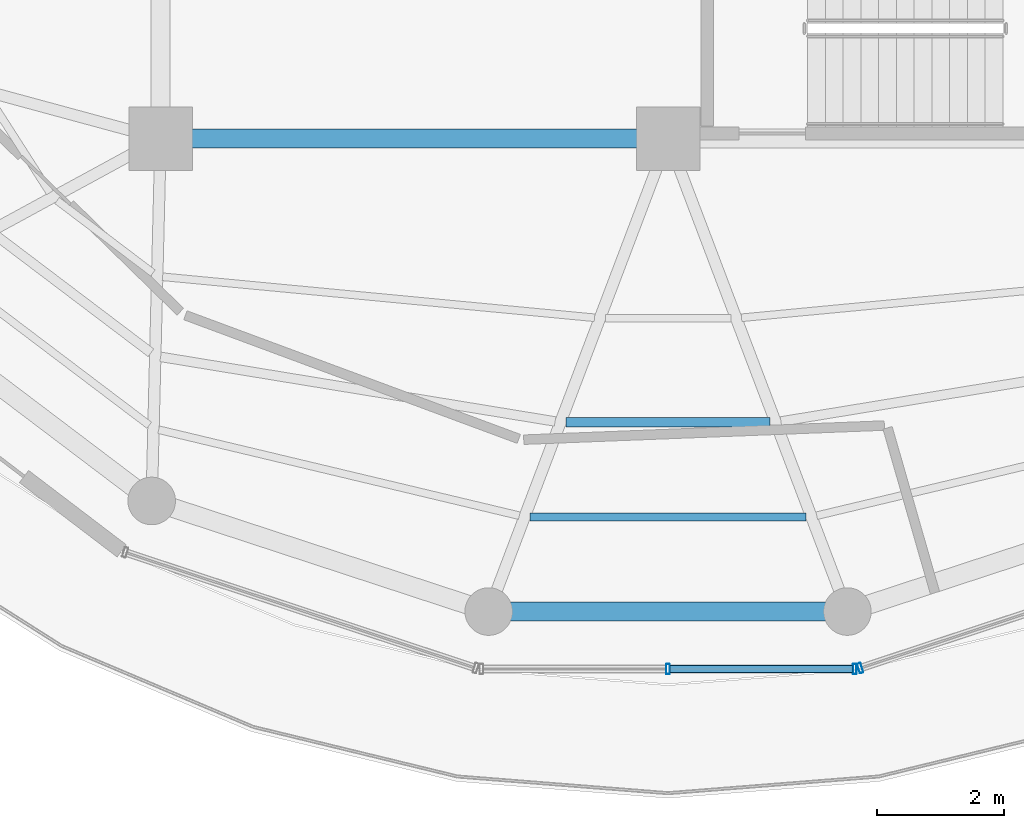
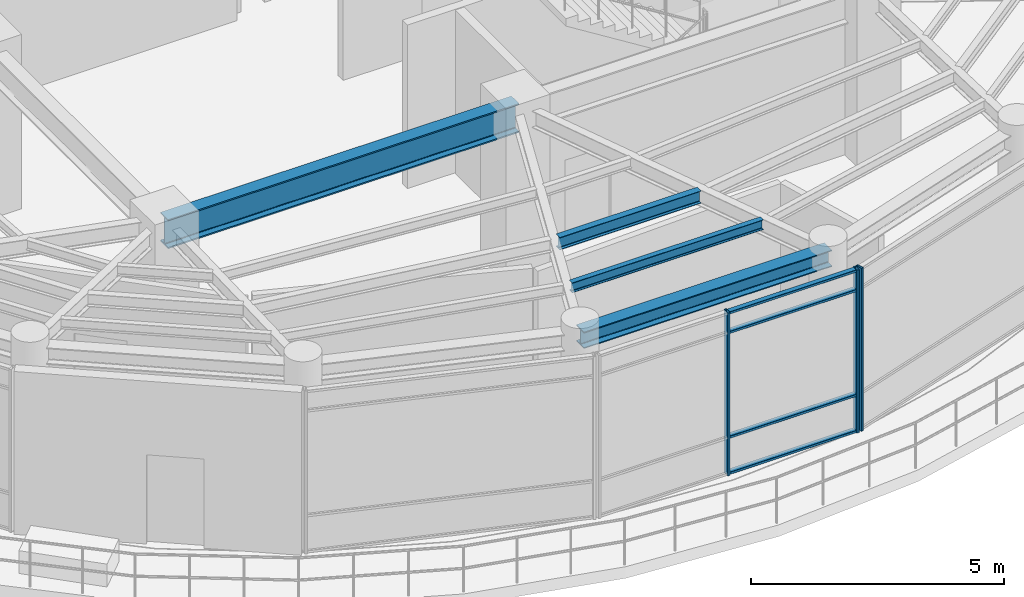
# One storey, part 5 of 20: 7 members, 4 beams, 2 elements without a shape of their own.
"""IFC4 building model written with IfcOpenShell, lengths in metres."""

from ifc_helpers import new_model, si_unit, direction, frame, origin, origin_2d, place, context, subcontext, project, spatial, hollow_rectangle, i_section, extrude, material, layer, layer_set, material_profile, profile_set, type_object, element, aggregate, save


model = new_model("IFC4")

# Units and contexts
model_context = context("Model", 3, precision=1e-05, world=origin(), true_north=direction((0.0, 1.0)))
body_context = subcontext(model_context, "Body", "Model", "MODEL_VIEW")
ifc_project = project(units=[si_unit("LENGTHUNIT", "METRE"), si_unit("AREAUNIT", "SQUARE_METRE"), si_unit("VOLUMEUNIT", "CUBIC_METRE"), si_unit("PLANEANGLEUNIT", "RADIAN"), si_unit("MASSUNIT", "GRAM", prefix="KILO")], contexts=[model_context])

# Site, building, storey
site_placement = place(None, origin())
site = spatial("IfcSite", under=ifc_project, at=site_placement, CompositionType="ELEMENT")
building_placement = place(site_placement, origin())
building = spatial("IfcBuilding", under=site, at=building_placement, Name="Kelanora Arch Commons", CompositionType="ELEMENT")
storey_placement = place(building_placement, frame((0.0, 0.0, 298.5)))
storey = spatial("IfcBuildingStorey", under=building, at=storey_placement, Name="L76", CompositionType="ELEMENT", Elevation=298.5)

# Beams
ifc_material_1 = material(Name="Steel S355", Category="steel")
ifc_material_profile_1 = material_profile(ifc_material_1, i_section(OverallWidth=0.300048828125, OverallDepth=0.699951171875, WebThickness=0.01708984375, FlangeThickness=0.031982421875, FilletRadius=0.027099609375, at=origin_2d()), Name="HEB700")
ifc_profile_set_1 = profile_set([ifc_material_profile_1], Name="Steel S355")
beam_type_1 = type_object("IfcBeamType", Name="BM-CORE-HDR", PredefinedType="BEAM", material=ifc_profile_set_1)
beam_1_placement = place(storey_placement, frame((66.0, 51.0, 3.590087890625), z_axis=(1.0, 0.0, 0.0), x_axis=(0.0, 1.0, 0.0)))
element("IfcBeam", 1, at=beam_1_placement, inside=storey, type_object=beam_type_1, Name="Core Header Beam 01 L76", PredefinedType="BEAM", context=body_context, shape_type="SweptSolid", body=[
    extrude(i_section(OverallWidth=0.300048828125, OverallDepth=0.699951171875, WebThickness=0.01708984375, FlangeThickness=0.031982421875, FilletRadius=0.027099609375, at=origin_2d()), origin(), (0.0, 0.0, 1.0), 8.0),
])
ifc_material_profile_2 = material_profile(ifc_material_1, i_section(OverallWidth=0.14990234375, OverallDepth=0.300048828125, WebThickness=0.007080078125, FlangeThickness=0.0107421875, FilletRadius=0.014892578125, at=origin_2d()), Name="IPE300")
ifc_profile_set_2 = profile_set([ifc_material_profile_2], Name="Steel S355")
beam_type_2 = type_object("IfcBeamType", Name="BM-JST-01", PredefinedType="JOIST", material=ifc_profile_set_2)
beam_2_placement = place(storey_placement, frame((72.388916015625, 46.52587890625, 3.7900390625), z_axis=(1.0, 0.0, 0.0), x_axis=(0.0, 1.0, 0.0)))
element("IfcBeam", 2, at=beam_2_placement, inside=storey, type_object=beam_type_2, Name="Secondary Chord Joist BJB-26 L76", PredefinedType="JOIST", context=body_context, shape_type="SweptSolid", body=[
    extrude(i_section(OverallWidth=0.14990234375, OverallDepth=0.300048828125, WebThickness=0.007080078125, FlangeThickness=0.0107421875, FilletRadius=0.014892578125, at=origin_2d()), origin(), (0.0, 0.0, 1.0), 3.22216796875),
])
ifc_material_profile_3 = material_profile(ifc_material_1, i_section(OverallWidth=0.1201171875, OverallDepth=0.239990234375, WebThickness=0.006103515625, FlangeThickness=0.009765625, FilletRadius=0.014892578125, at=origin_2d()), Name="IPE240")
ifc_profile_set_3 = profile_set([ifc_material_profile_3], Name="Steel S355")
beam_type_3 = type_object("IfcBeamType", Name="BM-JST-02", PredefinedType="JOIST", material=ifc_profile_set_3)
beam_3_placement = place(storey_placement, frame((71.823486328125, 45.034423828125, 3.820068359375), z_axis=(1.0, 0.0, 0.0), x_axis=(0.0, 1.0, 0.0)))
element("IfcBeam", 3, at=beam_3_placement, inside=storey, type_object=beam_type_3, Name="Secondary Chord Joist BJC-26 L76", PredefinedType="JOIST", context=body_context, shape_type="SweptSolid", body=[
    extrude(i_section(OverallWidth=0.1201171875, OverallDepth=0.239990234375, WebThickness=0.006103515625, FlangeThickness=0.009765625, FilletRadius=0.014892578125, at=origin_2d()), origin(), (0.0, 0.0, 1.0), 4.35302734375),
])
ifc_material_profile_4 = material_profile(ifc_material_1, i_section(OverallWidth=0.300048828125, OverallDepth=0.39990234375, WebThickness=0.013427734375, FlangeThickness=0.02392578125, FilletRadius=0.027099609375, at=origin_2d()), Name="HEB400")
ifc_profile_set_4 = profile_set([ifc_material_profile_4], Name="Steel S355")
beam_type_4 = type_object("IfcBeamType", Name="BM-SPN-Z4", PredefinedType="SPANDREL", material=ifc_profile_set_4)
beam_4_placement = place(storey_placement, frame((71.173095703125, 43.54296875, 3.739990234375), z_axis=(1.0, 0.0, 0.0), x_axis=(0.0, 1.0, 0.0)))
element("IfcBeam", 4, at=beam_4_placement, inside=storey, type_object=beam_type_4, Name="Perimeter Spandrel Beam BS-26 L76", PredefinedType="SPANDREL", context=body_context, shape_type="SweptSolid", body=[
    extrude(i_section(OverallWidth=0.300048828125, OverallDepth=0.39990234375, WebThickness=0.013427734375, FlangeThickness=0.02392578125, FilletRadius=0.027099609375, at=origin_2d()), origin(), (0.0, 0.0, 1.0), 5.65380859375),
])

# Curtain wall, members
ifc_material_2 = material(Name="Terracotta ceramic-fritted low-E glass and aluminium", Category="masonry")
ifc_layer = layer(ifc_material_2, 0.14990234375)
ifc_layer_set = layer_set([ifc_layer], Name="Terracotta ceramic-fritted low-E glass and aluminium")
curtain_wall_type = type_object("IfcCurtainWallType", Name="CW-SYS-06", PredefinedType="NOTDEFINED", material=ifc_layer_set)
curtain_wall_1_placement = place(storey_placement, origin())
curtain_wall_1 = element("IfcCurtainWall", 5, at=curtain_wall_1_placement, inside=storey, type_object=curtain_wall_type, Name="Unitised Curtain Wall L76-B13", PredefinedType="NOTDEFINED")
ifc_material_3 = material(Name="Powder-coated aluminium terracotta", Category="masonry")
ifc_material_profile_5 = material_profile(ifc_material_3, hollow_rectangle(XDim=0.159912109375, YDim=0.06005859375, WallThickness=0.0048828125, InnerFilletRadius=0.0048828125, OuterFilletRadius=0.010009765625, at=origin_2d()), Name="CWM160x60")
ifc_profile_set_5 = profile_set([ifc_material_profile_5], Name="Powder-coated aluminium terracotta")
member_type_1 = type_object("IfcMemberType", Name="CWM-STD", PredefinedType="MULLION", material=ifc_profile_set_5)
member_1_placement = place(storey_placement, frame((74.0, 42.636962890625, 0.0), z_axis=(0.0, 0.0, 1.0), x_axis=(0.0, 1.0, 0.0)))
member_1 = element("IfcMember", 6, at=member_1_placement, type_object=member_type_1, Name="CW-06 mullion 2", PredefinedType="MULLION", context=body_context, shape_type="SweptSolid", body=[
    extrude(hollow_rectangle(XDim=0.159912109375, YDim=0.06005859375, WallThickness=0.0048828125, InnerFilletRadius=0.0048828125, OuterFilletRadius=0.010009765625, at=origin_2d()), origin(), (0.0, 0.0, 1.0), 3.925048828125),
])
member_2_placement = place(storey_placement, frame((76.941650390625, 42.636962890625, 0.0), z_axis=(0.0, 0.0, 1.0), x_axis=(0.0, 1.0, 0.0)))
member_2 = element("IfcMember", 7, at=member_2_placement, type_object=member_type_1, Name="CW-06 mullion 3", PredefinedType="MULLION", context=body_context, shape_type="SweptSolid", body=[
    extrude(hollow_rectangle(XDim=0.159912109375, YDim=0.06005859375, WallThickness=0.0048828125, InnerFilletRadius=0.0048828125, OuterFilletRadius=0.010009765625, at=origin_2d()), origin(), (0.0, 0.0, 1.0), 3.925048828125),
])

# Curtain wall, member
curtain_wall_2_placement = place(storey_placement, origin())
curtain_wall_2 = element("IfcCurtainWall", 8, at=curtain_wall_2_placement, inside=storey, type_object=curtain_wall_type, Name="Unitised Curtain Wall L76-B14", PredefinedType="NOTDEFINED")
member_3_placement = place(storey_placement, frame((77.029296875, 42.651123046875, 0.0), z_axis=(0.0, 0.0, 1.0), x_axis=(-0.313466845323, 0.949599145368, 0.0)))
member_3 = element("IfcMember", 9, at=member_3_placement, type_object=member_type_1, Name="CW-06 mullion 1", PredefinedType="MULLION", context=body_context, shape_type="SweptSolid", body=[
    extrude(hollow_rectangle(XDim=0.159912109375, YDim=0.06005859375, WallThickness=0.0048828125, InnerFilletRadius=0.0048828125, OuterFilletRadius=0.010009765625, at=origin_2d()), origin(), (0.0, 0.0, 1.0), 3.925048828125),
])
aggregate(curtain_wall_2, [member_3])

# Member
ifc_material_profile_6 = material_profile(ifc_material_3, hollow_rectangle(XDim=0.1201171875, YDim=0.06005859375, WallThickness=0.0048828125, InnerFilletRadius=0.0048828125, OuterFilletRadius=0.010009765625, at=origin_2d()), Name="CWT120x60")
ifc_profile_set_6 = profile_set([ifc_material_profile_6], Name="Powder-coated aluminium terracotta")
member_type_2 = type_object("IfcMemberType", Name="CWT-STD", PredefinedType="USERDEFINED", material=ifc_profile_set_6)
member_4_placement = place(storey_placement, frame((74.030029296875, 42.636962890625, 0.030029296875), z_axis=(1.0, 0.0, 0.0), x_axis=(0.0, 1.0, 0.0)))
member_4 = element("IfcMember", 10, at=member_4_placement, type_object=member_type_2, Name="CW-06 transom 2.1", ObjectType="TRANSOM", PredefinedType="USERDEFINED", context=body_context, shape_type="SweptSolid", body=[
    extrude(hollow_rectangle(XDim=0.1201171875, YDim=0.06005859375, WallThickness=0.0048828125, InnerFilletRadius=0.0048828125, OuterFilletRadius=0.010009765625, at=origin_2d()), origin(), (0.0, 0.0, 1.0), 2.881591796875),
])

member_5_placement = place(storey_placement, frame((74.030029296875, 42.636962890625, 0.89990234375), z_axis=(1.0, 0.0, 0.0), x_axis=(0.0, 1.0, 0.0)))
member_5 = element("IfcMember", 11, at=member_5_placement, type_object=member_type_2, Name="CW-06 transom 2.2", ObjectType="TRANSOM", PredefinedType="USERDEFINED", context=body_context, shape_type="SweptSolid", body=[
    extrude(hollow_rectangle(XDim=0.1201171875, YDim=0.06005859375, WallThickness=0.0048828125, InnerFilletRadius=0.0048828125, OuterFilletRadius=0.010009765625, at=origin_2d()), origin(), (0.0, 0.0, 1.0), 2.881591796875),
])

member_6_placement = place(storey_placement, frame((74.030029296875, 42.636962890625, 3.425048828125), z_axis=(1.0, 0.0, 0.0), x_axis=(0.0, 1.0, 0.0)))
member_6 = element("IfcMember", 12, at=member_6_placement, type_object=member_type_2, Name="CW-06 transom 2.3", ObjectType="TRANSOM", PredefinedType="USERDEFINED", context=body_context, shape_type="SweptSolid", body=[
    extrude(hollow_rectangle(XDim=0.1201171875, YDim=0.06005859375, WallThickness=0.0048828125, InnerFilletRadius=0.0048828125, OuterFilletRadius=0.010009765625, at=origin_2d()), origin(), (0.0, 0.0, 1.0), 2.881591796875),
])

member_7_placement = place(storey_placement, frame((74.030029296875, 42.636962890625, 3.89501953125), z_axis=(1.0, 0.0, 0.0), x_axis=(0.0, 1.0, 0.0)))
member_7 = element("IfcMember", 13, at=member_7_placement, type_object=member_type_2, Name="CW-06 transom 2.4", ObjectType="TRANSOM", PredefinedType="USERDEFINED", context=body_context, shape_type="SweptSolid", body=[
    extrude(hollow_rectangle(XDim=0.1201171875, YDim=0.06005859375, WallThickness=0.0048828125, InnerFilletRadius=0.0048828125, OuterFilletRadius=0.010009765625, at=origin_2d()), origin(), (0.0, 0.0, 1.0), 2.881591796875),
])

aggregate(curtain_wall_1, [member_1, member_2, member_4, member_5, member_6, member_7])

save(model, "model.ifc")
